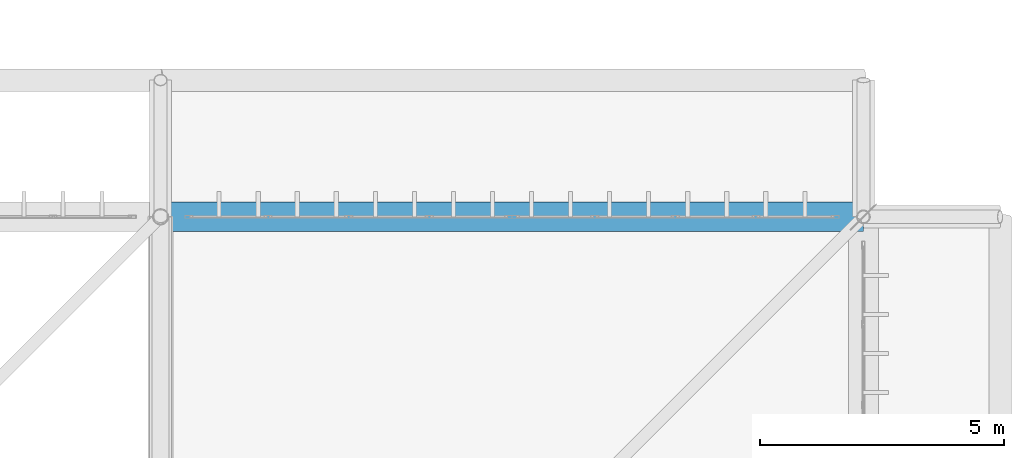
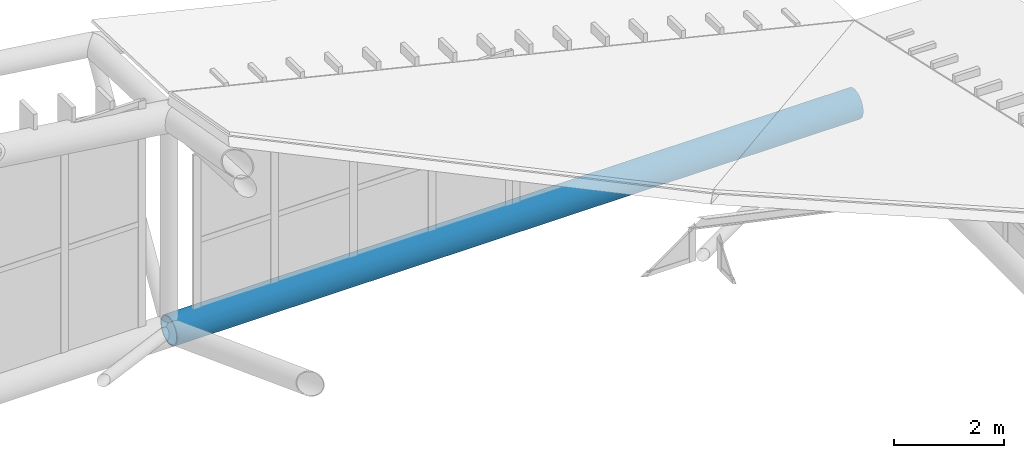
# One storey, part 352 of 397: 1 beam.
"""IFC4 building model written with IfcOpenShell, lengths in metres."""

from ifc_helpers import new_model, si_unit, direction, frame, origin, origin_2d, place, context, subcontext, project, spatial, hollow_circle, extrude, material, material_profile, profile_set, type_object, element, save


model = new_model("IFC4")

# Units and contexts
model_context = context("Model", 3, precision=1e-05, world=origin(), true_north=direction((0.0, 1.0)))
body_context = subcontext(model_context, "Body", "Model", "MODEL_VIEW")
ifc_project = project(units=[si_unit("LENGTHUNIT", "METRE"), si_unit("AREAUNIT", "SQUARE_METRE"), si_unit("VOLUMEUNIT", "CUBIC_METRE"), si_unit("PLANEANGLEUNIT", "RADIAN"), si_unit("MASSUNIT", "GRAM", prefix="KILO")], contexts=[model_context])

# Site, building, storey
site_placement = place(None, origin())
site = spatial("IfcSite", under=ifc_project, at=site_placement, CompositionType="ELEMENT")
building_placement = place(site_placement, origin())
building = spatial("IfcBuilding", under=site, at=building_placement, Name="Qandorah Velis Arena", CompositionType="ELEMENT")
storey_placement = place(building_placement, frame((0.0, 0.0, 27.5)))
storey = spatial("IfcBuildingStorey", under=building, at=storey_placement, Name="RF", CompositionType="ELEMENT", Elevation=27.5)

# Beam
ifc_material = material(Name="Steel S460", Category="steel")
ifc_material_profile = material_profile(ifc_material, hollow_circle(Radius=0.304931640625, WallThickness=0.02490234375, at=origin_2d()), Name="CHS 610x25")
ifc_profile_set = profile_set([ifc_material_profile], Name="Steel S460")
beam_type = type_object("IfcBeamType", Name="STR-SFC-CHS610X25", PredefinedType="USERDEFINED", material=ifc_profile_set)
beam_placement = place(storey_placement, frame((100.800048828125, 115.199951171875, 0.10009765625), z_axis=(1.0, 0.0, 0.0), x_axis=(0.0, 1.0, 0.0)))
element("IfcBeam", 1, at=beam_placement, inside=storey, type_object=beam_type, Name="Space frame roof truss bottom chord X 6.7", ObjectType="ROOF TRUSS", PredefinedType="USERDEFINED", context=body_context, shape_type="SweptSolid", body=[
    extrude(hollow_circle(Radius=0.304931640625, WallThickness=0.02490234375, at=origin_2d()), origin(), (0.0, 0.0, 1.0), 14.39990234375),
])

save(model, "model.ifc")
